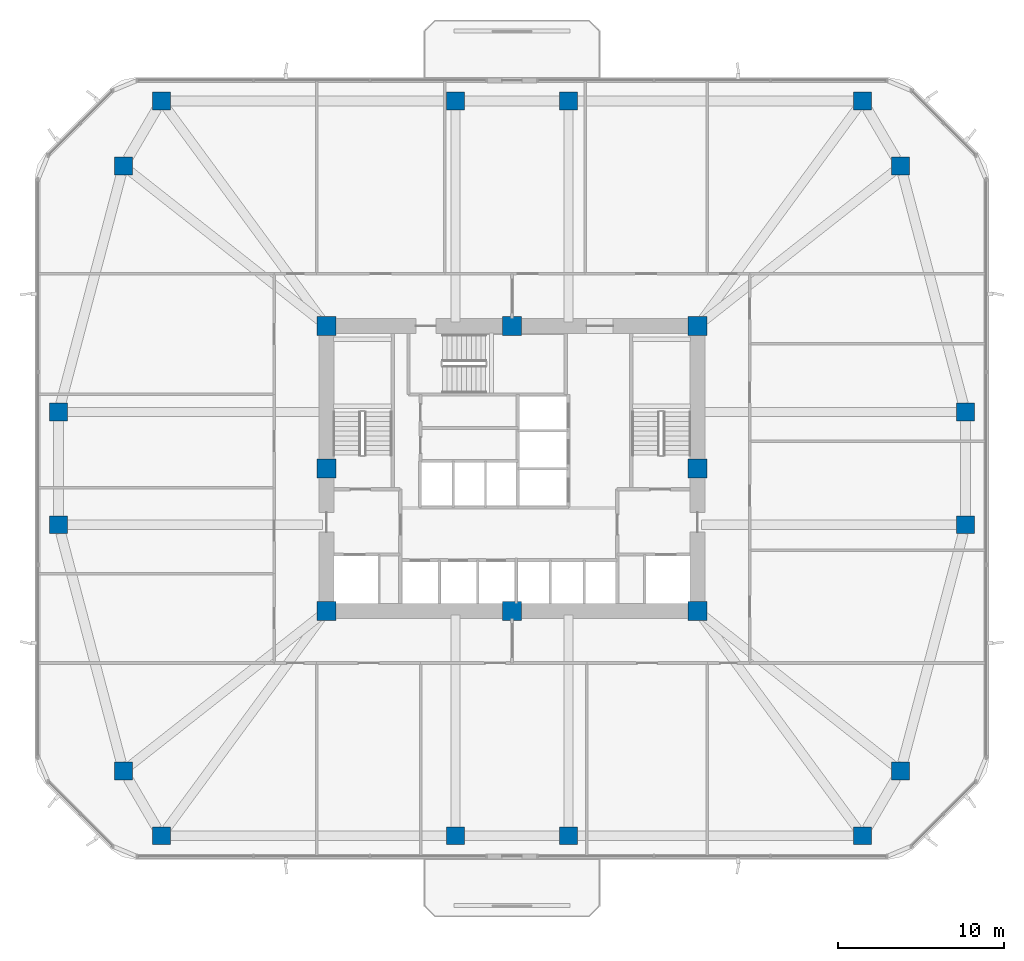
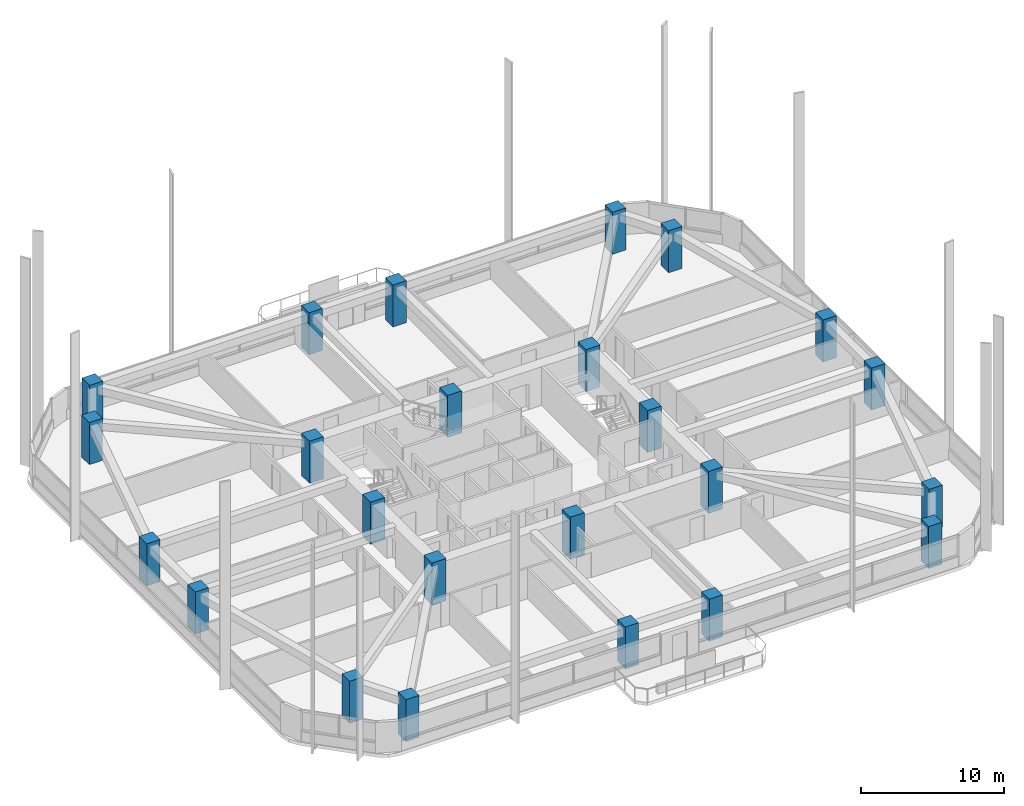
# One storey, part 1 of 17: 24 columns.
"""IFC4 building model written with IfcOpenShell, lengths in metres."""

from ifc_helpers import new_model, si_unit, derived_unit, direction, frame, origin, origin_2d, place, context, subcontext, project, spatial, rectangle, extrude, material, material_profile, profile_set, type_object, element, save


model = new_model("IFC4")

# Units and contexts
model_context = context("Model", 3, precision=1e-05, world=origin(), true_north=direction((0.0, 1.0)))
body_context = subcontext(model_context, "Body", "Model", "MODEL_VIEW")
ifc_project = project(units=[si_unit("LENGTHUNIT", "METRE"), si_unit("AREAUNIT", "SQUARE_METRE"), si_unit("VOLUMEUNIT", "CUBIC_METRE"), si_unit("PLANEANGLEUNIT", "RADIAN"), si_unit("MASSUNIT", "GRAM", prefix="KILO"), derived_unit("THERMALTRANSMITTANCEUNIT", [(si_unit("POWERUNIT", "WATT"), 1), (si_unit("LENGTHUNIT", "METRE"), -2), (si_unit("THERMODYNAMICTEMPERATUREUNIT", "KELVIN"), -1)])], contexts=[model_context])

# Site, building, storey
site_placement = place(None, origin())
site = spatial("IfcSite", under=ifc_project, at=site_placement, CompositionType="ELEMENT")
building_placement = place(site_placement, origin())
building = spatial("IfcBuilding", under=site, at=building_placement, Name="Koralith Skygarden Medical Center", CompositionType="ELEMENT")
storey_placement = place(building_placement, frame((0.0, 0.0, 67.139892578125)))
storey = spatial("IfcBuildingStorey", under=building, at=storey_placement, Name="L17", CompositionType="ELEMENT", Elevation=67.139892578125)

# Columns
ifc_material = material(Name="Concrete C70/85", Category="concrete")
ifc_material_profile_1 = material_profile(ifc_material, rectangle(XDim=1.139892578125, YDim=1.139892578125, at=origin_2d()), Name="RC1140X1140")
ifc_profile_set_1 = profile_set([ifc_material_profile_1], Name="Concrete C70/85")
column_type_1 = type_object("IfcColumnType", Name="Core Mega-Column C70 RC1140", PredefinedType="COLUMN", material=ifc_profile_set_1)
for number, where, z_axis, x_axis, name in (
    (1, (25.800048828125, 17.300048828125, 0.0), (0.0, 0.0, 1.0), (1.0, 0.0, 0.0), "L17 Core Column CC-01"),
    (2, (37.0, 17.300048828125, 0.0), (0.0, 0.0, 1.0), (1.0, 0.0, 0.0), "L17 Core Column CC-02"),
    (3, (48.199951171875, 17.300048828125, 0.0), (0.0, 0.0, 1.0), (1.0, 0.0, 0.0), "L17 Core Column CC-03"),
    (4, (48.199951171875, 25.89990234375, 0.0), (0.0, 0.0, 1.0), (1.0, 0.0, 0.0), "L17 Core Column CC-04"),
    (5, (48.199951171875, 34.5, 0.0), (0.0, 0.0, 1.0), (1.0, 0.0, 0.0), "L17 Core Column CC-05"),
    (6, (37.0, 34.5, 0.0), (0.0, 0.0, 1.0), (1.0, 0.0, 0.0), "L17 Core Column CC-06"),
    (7, (25.800048828125, 34.5, 0.0), (0.0, 0.0, 1.0), (1.0, 0.0, 0.0), "L17 Core Column CC-07"),
    (8, (25.800048828125, 25.89990234375, 0.0), (0.0, 0.0, 1.0), (1.0, 0.0, 0.0), "L17 Core Column CC-08"),
):
    element("IfcColumn", number, at=place(storey_placement, frame(where, z_axis=z_axis, x_axis=x_axis)), inside=storey, type_object=column_type_1, Name=name, PredefinedType="COLUMN", context=body_context, shape_type="SweptSolid", body=[
        extrude(rectangle(XDim=1.139892578125, YDim=1.139892578125, at=origin_2d()), origin(), (0.0, 0.0, 1.0), 3.60009765625),
    ])
ifc_material_profile_2 = material_profile(ifc_material, rectangle(XDim=1.080078125, YDim=1.080078125, at=origin_2d()), Name="RC1080X1080")
ifc_profile_set_2 = profile_set([ifc_material_profile_2], Name="Concrete C70/85")
column_type_2 = type_object("IfcColumnType", Name="Zone 1 Octagonal Mega-Column C70 RC1080", PredefinedType="COLUMN", material=ifc_profile_set_2)
for number, where, z_axis, x_axis, name in (
    (9, (9.6201171875, 22.5, 0.0), (0.0, 0.0, 1.0), (1.0, 0.0, 0.0), "L17 Perimeter Mega-Column MC-01"),
    (10, (13.5400390625, 7.639892578125, 0.0), (0.0, 0.0, 1.0), (1.0, 0.0, 0.0), "L17 Perimeter Mega-Column MC-02"),
    (11, (15.83203125, 3.719970703125, 0.0), (0.0, 0.0, 1.0), (1.0, 0.0, 0.0), "L17 Perimeter Mega-Column MC-03"),
    (12, (33.60009765625, 3.719970703125, 0.0), (0.0, 0.0, 1.0), (1.0, 0.0, 0.0), "L17 Perimeter Mega-Column MC-04"),
    (13, (40.39990234375, 3.719970703125, 0.0), (0.0, 0.0, 1.0), (1.0, 0.0, 0.0), "L17 Perimeter Mega-Column MC-05"),
    (14, (58.16796875, 3.719970703125, 0.0), (0.0, 0.0, 1.0), (1.0, 0.0, 0.0), "L17 Perimeter Mega-Column MC-06"),
    (15, (60.4599609375, 7.639892578125, 0.0), (0.0, 0.0, 1.0), (1.0, 0.0, 0.0), "L17 Perimeter Mega-Column MC-07"),
    (16, (64.3798828125, 22.5, 0.0), (0.0, 0.0, 1.0), (1.0, 0.0, 0.0), "L17 Perimeter Mega-Column MC-08"),
    (17, (64.3798828125, 29.300048828125, 0.0), (0.0, 0.0, 1.0), (1.0, 0.0, 0.0), "L17 Perimeter Mega-Column MC-09"),
    (18, (60.4599609375, 44.159912109375, 0.0), (0.0, 0.0, 1.0), (1.0, 0.0, 0.0), "L17 Perimeter Mega-Column MC-10"),
    (19, (58.16796875, 48.080078125, 0.0), (0.0, 0.0, 1.0), (1.0, 0.0, 0.0), "L17 Perimeter Mega-Column MC-11"),
    (20, (40.39990234375, 48.080078125, 0.0), (0.0, 0.0, 1.0), (1.0, 0.0, 0.0), "L17 Perimeter Mega-Column MC-12"),
    (21, (33.60009765625, 48.080078125, 0.0), (0.0, 0.0, 1.0), (1.0, 0.0, 0.0), "L17 Perimeter Mega-Column MC-13"),
    (22, (15.83203125, 48.080078125, 0.0), (0.0, 0.0, 1.0), (1.0, 0.0, 0.0), "L17 Perimeter Mega-Column MC-14"),
    (23, (13.5400390625, 44.159912109375, 0.0), (0.0, 0.0, 1.0), (1.0, 0.0, 0.0), "L17 Perimeter Mega-Column MC-15"),
    (24, (9.6201171875, 29.300048828125, 0.0), (0.0, 0.0, 1.0), (1.0, 0.0, 0.0), "L17 Perimeter Mega-Column MC-16"),
):
    element("IfcColumn", number, at=place(storey_placement, frame(where, z_axis=z_axis, x_axis=x_axis)), inside=storey, type_object=column_type_2, Name=name, PredefinedType="COLUMN", context=body_context, shape_type="SweptSolid", body=[
        extrude(rectangle(XDim=1.080078125, YDim=1.080078125, at=origin_2d()), origin(), (0.0, 0.0, 1.0), 3.60009765625),
    ])

save(model, "model.ifc")
